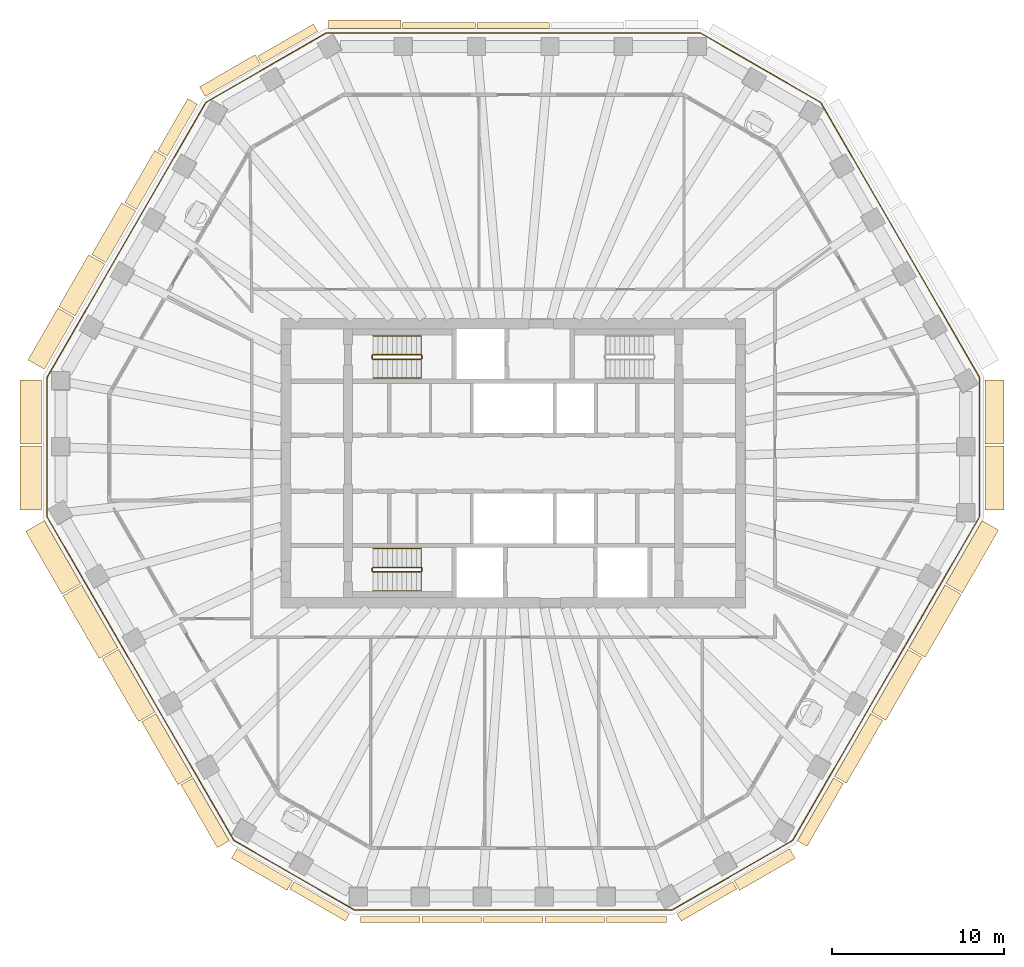
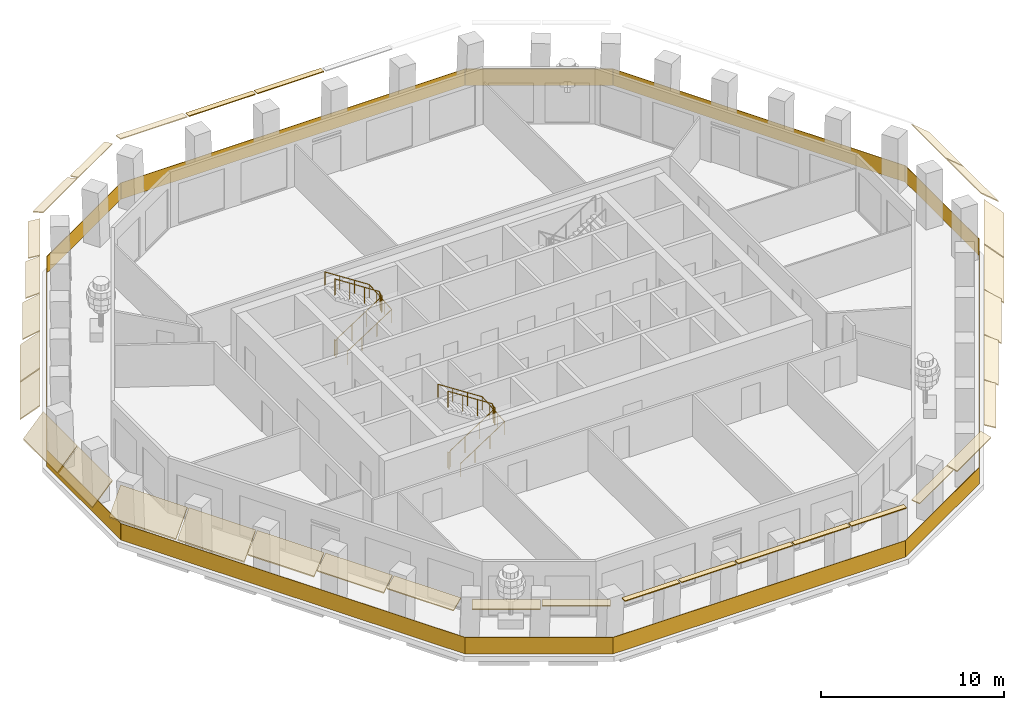
# One storey, part 9 of 12: 33 coverings, 5 railings.
"""IFC4 building model written with IfcOpenShell, lengths in metres."""

from ifc_helpers import new_model, si_unit, direction, frame, origin, origin_2d, place, context, subcontext, project, spatial, polyline, rectangle, circle, outline, extrude, material, layer, layer_set, type_object, element, save


model = new_model("IFC4")

# Units and contexts
model_context = context("Model", 3, precision=1e-05, world=origin(), true_north=direction((0.0, 1.0)))
body_context = subcontext(model_context, "Body", "Model", "MODEL_VIEW")
ifc_project = project(units=[si_unit("LENGTHUNIT", "METRE"), si_unit("AREAUNIT", "SQUARE_METRE"), si_unit("VOLUMEUNIT", "CUBIC_METRE"), si_unit("PLANEANGLEUNIT", "RADIAN"), si_unit("MASSUNIT", "GRAM", prefix="KILO")], contexts=[model_context])

# Site, building, storey
site_placement = place(None, origin())
site = spatial("IfcSite", under=ifc_project, at=site_placement, CompositionType="ELEMENT")
building_placement = place(site_placement, origin())
building = spatial("IfcBuilding", under=site, at=building_placement, Name="Frailejon Research Tower", CompositionType="ELEMENT")
storey_placement = place(building_placement, frame((0.0, 0.0, 241.39990234375)))
storey = spatial("IfcBuildingStorey", under=building, at=storey_placement, Name="L52", CompositionType="ELEMENT", Elevation=241.39990234375)

# Coverings
ifc_material_1 = material(Name="Precast concrete C50/60", Category="concrete")
ifc_layer_1 = layer(ifc_material_1, 0.06005859375)
ifc_layer_set_1 = layer_set([ifc_layer_1], Name="Brim blade depth 1100")
covering_type_1 = type_object("IfcCoveringType", Name="Brim blade depth 1100", PredefinedType="CLADDING", material=ifc_layer_set_1)
for number, where, z_axis, x_axis, name in (
    (1, (27.4013671875, 1.0185546875, 3.85009765625), (0.0, -1.0, 0.0), (1.0, 0.0, 0.0), "Brim blade L52"),
    (2, (27.4013671875, 4.84521484375, 3.85009765625), (0.0, -1.0, 0.0), (1.0, 0.0, 0.0), "Brim blade L52"),
):
    element("IfcCovering", number, at=place(storey_placement, frame(where, z_axis=z_axis, x_axis=x_axis)), inside=storey, type_object=covering_type_1, Name=name, PredefinedType="CLADDING", context=body_context, shape_type="SweptSolid", body=[
        extrude(outline(polyline([(0.0, -0.078369140625), (1.10009765625, -1.001220703125), (1.10009765625, -0.923095703125), (0.0, 0.0), (0.0, -0.078369140625)])), origin(), (0.0, 0.0, 1.0), 3.726806640625),
    ])
for number, where, z_axis, x_axis, name in (
    (3, (-25.4482421875, 8.55908203125, 3.85009765625), (0.499990454793, 0.866030914642, 0.0), (-0.866030914642, 0.499990454793, 0.0), "Brim blade L52"),
    (4, (-27.235595703125, 5.46337890625, 3.85009765625), (0.500011436046, 0.86601880108, 0.0), (-0.86601880108, 0.500011436046, 0.0), "Brim blade L52"),
):
    element("IfcCovering", number, at=place(storey_placement, frame(where, z_axis=z_axis, x_axis=x_axis)), inside=storey, type_object=covering_type_1, Name=name, PredefinedType="CLADDING", context=body_context, shape_type="SweptSolid", body=[
        extrude(outline(polyline([(0.0, -0.078369140625), (1.10009765625, -1.001220703125), (1.10009765625, -0.923095703125), (0.0, 0.0), (0.0, -0.078369140625)])), origin(), (0.0, 0.0, 1.0), 3.474609375),
    ])
for number, where, z_axis, x_axis, name in (
    (5, (-20.8134765625, -14.4501953125, 3.85009765625), (-0.499992615205, 0.866029667356, 0.0), (-0.866029667356, -0.499992615205, 0.0), "Brim blade L52"),
    (6, (25.078125, -7.063232421875, 3.85009765625), (-0.500002651097, -0.866023873168, 0.0), (0.866023873168, -0.500002651097, 0.0), "Brim blade L52"),
    (7, (27.235595703125, -3.326416015625, 3.85009765625), (-0.500002651097, -0.866023873168, 0.0), (0.866023873168, -0.500002651097, 0.0), "Brim blade L52"),
):
    element("IfcCovering", number, at=place(storey_placement, frame(where, z_axis=z_axis, x_axis=x_axis)), inside=storey, type_object=covering_type_1, Name=name, PredefinedType="CLADDING", context=body_context, shape_type="SweptSolid", body=[
        extrude(outline(polyline([(0.0, -0.078369140625), (1.10009765625, -1.001220703125), (1.10009765625, -0.923095703125), (0.0, 0.0), (0.0, -0.078369140625)])), origin(), (0.0, 0.0, 1.0), 4.21484375),
    ])
ifc_material_2 = material(Name="Precast concrete C50/60", Category="concrete")
ifc_layer_2 = layer(ifc_material_2, 0.06005859375)
ifc_layer_set_2 = layer_set([ifc_layer_2], Name="Brim blade depth 1250")
covering_type_2 = type_object("IfcCoveringType", Name="Brim blade depth 1250", PredefinedType="CLADDING", material=ifc_layer_set_2)
for number, where, z_axis, x_axis, name in (
    (8, (-27.4013671875, 1.118408203125, 3.85009765625), (0.0, 1.0, 0.0), (-1.0, 0.0, 0.0), "Brim blade L52"),
    (9, (-27.4013671875, -2.708251953125, 3.85009765625), (0.0, 1.0, 0.0), (-1.0, 0.0, 0.0), "Brim blade L52"),
):
    element("IfcCovering", number, at=place(storey_placement, frame(where, z_axis=z_axis, x_axis=x_axis)), inside=storey, type_object=covering_type_2, Name=name, PredefinedType="CLADDING", context=body_context, shape_type="SweptSolid", body=[
        extrude(outline(polyline([(0.0, -0.0888671875), (1.25, -1.452880859375), (1.25, -1.364013671875), (0.0, 0.0), (0.0, -0.0888671875)])), origin(), (0.0, 0.0, 1.0), 3.726806640625),
    ])
for number, where, z_axis, x_axis, name in (
    (10, (-25.128173828125, -6.9765625, 3.85009765625), (-0.500002651097, 0.866023873168, 0.0), (-0.866023873168, -0.500002651097, 0.0), "Brim blade L52"),
    (11, (-22.970703125, -10.71337890625, 3.85009765625), (-0.500002651097, 0.866023873168, 0.0), (-0.866023873168, -0.500002651097, 0.0), "Brim blade L52"),
):
    element("IfcCovering", number, at=place(storey_placement, frame(where, z_axis=z_axis, x_axis=x_axis)), inside=storey, type_object=covering_type_2, Name=name, PredefinedType="CLADDING", context=body_context, shape_type="SweptSolid", body=[
        extrude(outline(polyline([(0.0, -0.0888671875), (1.25, -1.452880859375), (1.25, -1.364013671875), (0.0, 0.0), (0.0, -0.0888671875)])), origin(), (0.0, 0.0, 1.0), 4.21484375),
    ])
ifc_material_3 = material(Name="Precast concrete C50/60", Category="concrete")
ifc_layer_3 = layer(ifc_material_3, 0.06005859375)
ifc_layer_set_3 = layer_set([ifc_layer_3], Name="Brim blade depth 350")
covering_type_3 = type_object("IfcCoveringType", Name="Brim blade depth 350", PredefinedType="CLADDING", material=ifc_layer_set_3)
for number, where, z_axis, x_axis, name in (
    (12, (-2.107421875, 25.25, 3.85009765625), (1.0, 0.0, 0.0), (0.0, 1.0, 0.0), "Brim blade L52"),
    (13, (-6.422119140625, 25.25, 3.85009765625), (1.0, 0.0, 0.0), (0.0, 1.0, 0.0), "Brim blade L52"),
):
    element("IfcCovering", number, at=place(storey_placement, frame(where, z_axis=z_axis, x_axis=x_axis)), inside=storey, type_object=covering_type_3, Name=name, PredefinedType="CLADDING", context=body_context, shape_type="SweptSolid", body=[
        extrude(outline(polyline([(0.0, -0.06005859375), (0.35009765625, -0.06005859375), (0.35009765625, 0.0), (0.0, 0.0), (0.0, -0.06005859375)])), origin(), (0.0, 0.0, 1.0), 4.21484375),
    ])
for number, where, z_axis, x_axis, name in (
    (14, (-5.411865234375, -26.318603515625, 3.85009765625), (-1.0, 0.0, 0.0), (0.0, -1.0, 0.0), "Brim blade L52"),
    (15, (-1.83740234375, -26.318603515625, 3.85009765625), (-1.0, 0.0, 0.0), (0.0, -1.0, 0.0), "Brim blade L52"),
    (16, (1.7373046875, -26.318603515625, 3.85009765625), (-1.0, 0.0, 0.0), (0.0, -1.0, 0.0), "Brim blade L52"),
    (17, (5.311767578125, -26.318603515625, 3.85009765625), (-1.0, 0.0, 0.0), (0.0, -1.0, 0.0), "Brim blade L52"),
    (18, (8.88623046875, -26.318603515625, 3.85009765625), (-1.0, 0.0, 0.0), (0.0, -1.0, 0.0), "Brim blade L52"),
):
    element("IfcCovering", number, at=place(storey_placement, frame(where, z_axis=z_axis, x_axis=x_axis)), inside=storey, type_object=covering_type_3, Name=name, PredefinedType="CLADDING", context=body_context, shape_type="SweptSolid", body=[
        extrude(outline(polyline([(0.0, -0.06005859375), (0.35009765625, -0.06005859375), (0.35009765625, 0.0), (0.0, 0.0), (0.0, -0.06005859375)])), origin(), (0.0, 0.0, 1.0), 3.474609375),
    ])
ifc_material_4 = material(Name="Precast concrete C50/60", Category="concrete")
ifc_layer_4 = layer(ifc_material_4, 0.06005859375)
ifc_layer_set_4 = layer_set([ifc_layer_4], Name="Brim blade depth 500")
covering_type_4 = type_object("IfcCoveringType", Name="Brim blade depth 500", PredefinedType="CLADDING", material=ifc_layer_set_4)
covering_1_placement = place(storey_placement, frame((-10.73681640625, 25.25, 3.85009765625), z_axis=(1.0, 0.0, 0.0), x_axis=(0.0, 1.0, 0.0)))
element("IfcCovering", 19, at=covering_1_placement, inside=storey, type_object=covering_type_4, Name="Brim blade L52", PredefinedType="CLADDING", context=body_context, shape_type="SweptSolid", body=[
    extrude(outline(polyline([(0.0, -0.060546875), (0.5, -0.130859375), (0.5, -0.0703125), (0.0, 0.0), (0.0, -0.060546875)])), origin(), (0.0, 0.0, 1.0), 4.214599609375),
])
for number, where, z_axis, x_axis, name in (
    (20, (-14.582763671875, 23.220947265625, 3.85009765625), (0.866025010706, 0.50000068083, 0.0), (-0.50000068083, 0.866025010706, 0.0), "Brim blade L52"),
    (21, (-9.504638671875, -26.15283203125, 3.85009765625), (-0.866018477835, 0.500011995905, 0.0), (-0.500011995905, -0.866018477835, 0.0), "Brim blade L52"),
    (22, (12.73193359375, -24.289306640625, 3.85009765625), (-0.866018477835, -0.500011995905, 0.0), (0.500011995905, -0.866018477835, 0.0), "Brim blade L52"),
):
    element("IfcCovering", number, at=place(storey_placement, frame(where, z_axis=z_axis, x_axis=x_axis)), inside=storey, type_object=covering_type_4, Name=name, PredefinedType="CLADDING", context=body_context, shape_type="SweptSolid", body=[
        extrude(outline(polyline([(0.0, -0.060546875), (0.5, -0.130859375), (0.5, -0.0703125), (0.0, 0.0), (0.0, -0.060546875)])), origin(), (0.0, 0.0, 1.0), 3.726806640625),
    ])
ifc_material_5 = material(Name="Precast concrete C50/60", Category="concrete")
ifc_layer_5 = layer(ifc_material_5, 0.06005859375)
ifc_layer_set_5 = layer_set([ifc_layer_5], Name="Brim blade depth 650")
covering_type_5 = type_object("IfcCoveringType", Name="Brim blade depth 650", PredefinedType="CLADDING", material=ifc_layer_set_5)
covering_2_placement = place(storey_placement, frame((-17.896728515625, 21.3076171875, 3.85009765625), z_axis=(0.866029793251, 0.499992397145, 0.0), x_axis=(-0.499992397145, 0.866029793251, 0.0)))
element("IfcCovering", 23, at=covering_2_placement, inside=storey, type_object=covering_type_5, Name="Brim blade L52", PredefinedType="CLADDING", context=body_context, shape_type="SweptSolid", body=[
    extrude(outline(polyline([(0.0, -0.0625), (0.64990234375, -0.248779296875), (0.64990234375, -0.186279296875), (0.0, 0.0), (0.0, -0.0625)])), origin(), (0.0, 0.0, 1.0), 3.726806640625),
])
covering_3_placement = place(storey_placement, frame((-20.086669921875, 17.845947265625, 3.85009765625), z_axis=(0.500011436046, 0.86601880108, 0.0), x_axis=(-0.86601880108, 0.500011436046, 0.0)))
element("IfcCovering", 24, at=covering_3_placement, inside=storey, type_object=covering_type_5, Name="Brim blade L52", PredefinedType="CLADDING", context=body_context, shape_type="SweptSolid", body=[
    extrude(outline(polyline([(0.0, -0.0625), (0.64990234375, -0.248779296875), (0.64990234375, -0.186279296875), (0.0, 0.0), (0.0, -0.0625)])), origin(), (0.0, 0.0, 1.0), 3.474609375),
])
for number, where, z_axis, x_axis, name in (
    (25, (-12.818603515625, -24.239501953125, 3.85009765625), (-0.866029793251, 0.499992397145, 0.0), (-0.499992397145, -0.866029793251, 0.0), "Brim blade L52"),
    (26, (16.0458984375, -22.376220703125, 3.85009765625), (-0.866029793251, -0.499992397145, 0.0), (0.499992397145, -0.866029793251, 0.0), "Brim blade L52"),
):
    element("IfcCovering", number, at=place(storey_placement, frame(where, z_axis=z_axis, x_axis=x_axis)), inside=storey, type_object=covering_type_5, Name=name, PredefinedType="CLADDING", context=body_context, shape_type="SweptSolid", body=[
        extrude(outline(polyline([(0.0, -0.0625), (0.64990234375, -0.248779296875), (0.64990234375, -0.186279296875), (0.0, 0.0), (0.0, -0.0625)])), origin(), (0.0, 0.0, 1.0), 3.726806640625),
    ])
covering_4_placement = place(storey_placement, frame((18.60595703125, -18.2734375, 3.85009765625), z_axis=(-0.500002651097, -0.866023873168, 0.0), x_axis=(0.866023873168, -0.500002651097, 0.0)))
element("IfcCovering", 27, at=covering_4_placement, inside=storey, type_object=covering_type_5, Name="Brim blade L52", PredefinedType="CLADDING", context=body_context, shape_type="SweptSolid", body=[
    extrude(outline(polyline([(0.0, -0.0625), (0.64990234375, -0.248779296875), (0.64990234375, -0.186279296875), (0.0, 0.0), (0.0, -0.0625)])), origin(), (0.0, 0.0, 1.0), 4.21484375),
])
ifc_material_6 = material(Name="Precast concrete C50/60", Category="concrete")
ifc_layer_6 = layer(ifc_material_6, 0.06005859375)
ifc_layer_set_6 = layer_set([ifc_layer_6], Name="Brim blade depth 800")
covering_type_6 = type_object("IfcCoveringType", Name="Brim blade depth 800", PredefinedType="CLADDING", material=ifc_layer_set_6)
covering_5_placement = place(storey_placement, frame((-21.873779296875, 14.75048828125, 3.85009765625), z_axis=(0.499990454793, 0.866030914642, 0.0), x_axis=(-0.866030914642, 0.499990454793, 0.0)))
element("IfcCovering", 28, at=covering_5_placement, inside=storey, type_object=covering_type_6, Name="Brim blade L52", PredefinedType="CLADDING", context=body_context, shape_type="SweptSolid", body=[
    extrude(outline(polyline([(0.0, -0.065673828125), (0.800048828125, -0.421875), (0.800048828125, -0.356201171875), (0.0, 0.0), (0.0, -0.065673828125)])), origin(), (0.0, 0.0, 1.0), 3.474609375),
])
for number, where, z_axis, x_axis, name in (
    (29, (-16.49853515625, -21.923583984375, 3.85009765625), (-0.500002651097, 0.866023873168, 0.0), (-0.866023873168, -0.500002651097, 0.0), "Brim blade L52"),
    (30, (20.763427734375, -14.53662109375, 3.85009765625), (-0.500002651097, -0.866023873168, 0.0), (0.866023873168, -0.500002651097, 0.0), "Brim blade L52"),
):
    element("IfcCovering", number, at=place(storey_placement, frame(where, z_axis=z_axis, x_axis=x_axis)), inside=storey, type_object=covering_type_6, Name=name, PredefinedType="CLADDING", context=body_context, shape_type="SweptSolid", body=[
        extrude(outline(polyline([(0.0, -0.065673828125), (0.800048828125, -0.421875), (0.800048828125, -0.356201171875), (0.0, 0.0), (0.0, -0.065673828125)])), origin(), (0.0, 0.0, 1.0), 4.21484375),
    ])
ifc_material_7 = material(Name="Precast concrete C50/60", Category="concrete")
ifc_layer_7 = layer(ifc_material_7, 0.06005859375)
ifc_layer_set_7 = layer_set([ifc_layer_7], Name="Brim blade depth 950")
covering_type_7 = type_object("IfcCoveringType", Name="Brim blade depth 950", PredefinedType="CLADDING", material=ifc_layer_set_7)
covering_6_placement = place(storey_placement, frame((-23.6611328125, 11.65478515625, 3.85009765625), z_axis=(0.499999322849, 0.866025794738, 0.0), x_axis=(-0.866025794738, 0.499999322849, 0.0)))
element("IfcCovering", 31, at=covering_6_placement, inside=storey, type_object=covering_type_7, Name="Brim blade L52", PredefinedType="CLADDING", context=body_context, shape_type="SweptSolid", body=[
    extrude(outline(polyline([(0.0, -0.07080078125), (0.949951171875, -0.664306640625), (0.949951171875, -0.593505859375), (0.0, 0.0), (0.0, -0.07080078125)])), origin(), (0.0, 0.0, 1.0), 3.474609375),
])
for number, where, z_axis, x_axis, name in (
    (32, (-18.656005859375, -18.186767578125, 3.85009765625), (-0.500002651097, 0.866023873168, 0.0), (-0.866023873168, -0.500002651097, 0.0), "Brim blade L52"),
    (33, (22.9208984375, -10.7998046875, 3.85009765625), (-0.499992615205, -0.866029667356, 0.0), (0.866029667356, -0.499992615205, 0.0), "Brim blade L52"),
):
    element("IfcCovering", number, at=place(storey_placement, frame(where, z_axis=z_axis, x_axis=x_axis)), inside=storey, type_object=covering_type_7, Name=name, PredefinedType="CLADDING", context=body_context, shape_type="SweptSolid", body=[
        extrude(outline(polyline([(0.0, -0.07080078125), (0.949951171875, -0.664306640625), (0.949951171875, -0.593505859375), (0.0, 0.0), (0.0, -0.07080078125)])), origin(), (0.0, 0.0, 1.0), 4.21484375),
    ])

# Railings
ifc_material_8 = material(Name="Laminated glass balustrade", Category="glass")
railing_type_1 = type_object("IfcRailingType", Name="Glass guard 1100", PredefinedType="GUARDRAIL", material=ifc_material_8)
railing_1_placement = place(storey_placement, frame((27.081298828125, -3.09912109375, 0.0)))
element("IfcRailing", 34, at=railing_1_placement, inside=storey, type_object=railing_type_1, Name="Loggia guard L52", PredefinedType="GUARDRAIL", context=body_context, shape_type="SweptSolid", body=[
    extrude(rectangle(XDim=8.083740234375, YDim=0.030029296875, at=origin_2d()), frame((0.0, 4.0419921875, 0.0), z_axis=(0.0, 0.0, 1.0), x_axis=(0.0, 1.0, 0.0)), (0.0, 0.0, 1.0), 1.10009765625),
    extrude(rectangle(XDim=18.447509765625, YDim=0.030029296875, at=origin_2d()), frame((-4.61181640625, 16.07177734375, 0.0), z_axis=(0.0, 0.0, 1.0), x_axis=(-0.500003504607, 0.866023380389, 0.0)), (0.0, 0.0, 1.0), 1.10009765625),
    extrude(rectangle(XDim=8.083740234375, YDim=0.030029296875, at=origin_2d()), frame((-12.72412109375, 26.080810546875, 0.0), z_axis=(0.0, 0.0, 1.0), x_axis=(-0.866019113034, 0.500010895741, 0.0)), (0.0, 0.0, 1.0), 1.10009765625),
    extrude(rectangle(XDim=21.71337890625, YDim=0.030029296875, at=origin_2d()), frame((-27.081298828125, 28.101806640625, 0.0), z_axis=(0.0, 0.0, 1.0), x_axis=(-1.0, 0.0, 0.0)), (0.0, 0.0, 1.0), 1.10009765625),
    extrude(rectangle(XDim=8.083740234375, YDim=0.030029296875, at=origin_2d()), frame((-41.4384765625, 26.080810546875, 0.0), z_axis=(0.0, 0.0, 1.0), x_axis=(-0.866019113034, -0.500010895741, 0.0)), (0.0, 0.0, 1.0), 1.10009765625),
    extrude(rectangle(XDim=18.447509765625, YDim=0.030029296875, at=origin_2d()), frame((-49.55078125, 16.07177734375, 0.0), z_axis=(0.0, 0.0, 1.0), x_axis=(-0.500003504607, -0.866023380389, 0.0)), (0.0, 0.0, 1.0), 1.10009765625),
    extrude(rectangle(XDim=8.083740234375, YDim=0.030029296875, at=origin_2d()), frame((-54.16259765625, 4.0419921875, 0.0), z_axis=(0.0, 0.0, 1.0), x_axis=(0.0, -1.0, 0.0)), (0.0, 0.0, 1.0), 1.10009765625),
    extrude(rectangle(XDim=21.713623046875, YDim=0.030029296875, at=origin_2d()), frame((-48.734130859375, -9.40234375, 0.0), z_axis=(0.0, 0.0, 1.0), x_axis=(0.500006326378, -0.866021751217, 0.0)), (0.0, 0.0, 1.0), 1.10009765625),
    extrude(rectangle(XDim=8.08349609375, YDim=0.030029296875, at=origin_2d()), frame((-39.805419921875, -20.8251953125, 0.0), z_axis=(0.0, 0.0, 1.0), x_axis=(0.866024640271, -0.500001322442, 0.0)), (0.0, 0.0, 1.0), 1.10009765625),
    extrude(rectangle(XDim=18.44775390625, YDim=0.030029296875, at=origin_2d()), frame((-27.081298828125, -22.84619140625, 0.0), z_axis=(0.0, 0.0, 1.0), x_axis=(1.0, 0.0, 0.0)), (0.0, 0.0, 1.0), 1.10009765625),
    extrude(rectangle(XDim=8.08349609375, YDim=0.030029296875, at=origin_2d()), frame((-14.357177734375, -20.8251953125, 0.0), z_axis=(0.0, 0.0, 1.0), x_axis=(0.866024640271, 0.500001322442, 0.0)), (0.0, 0.0, 1.0), 1.10009765625),
    extrude(rectangle(XDim=21.643798828125, YDim=0.030029296875, at=origin_2d()), frame((-5.44580078125, -9.4326171875, 0.0), z_axis=(0.0, 0.0, 1.0), x_axis=(0.500007893851, 0.86602084622, 0.0)), (0.0, 0.0, 1.0), 1.10009765625),
])
ifc_material_9 = material(Name="Stainless steel", Category="steel")
railing_type_2 = type_object("IfcRailingType", Name="Stair guard 1100", PredefinedType="GUARDRAIL", material=ifc_material_9)
railing_2_placement = place(storey_placement, frame((-8.199951171875, 6.25, 0.0)))
element("IfcRailing", 35, at=railing_2_placement, inside=storey, type_object=railing_type_2, Name="L52 ST1 stair guard 1", PredefinedType="GUARDRAIL", context=body_context, shape_type="SweptSolid", body=[
    extrude(circle(Radius=0.02392578125, at=origin_2d()), frame((0.0, 0.0, 1.076171875), z_axis=(0.0, -1.0, 0.0), x_axis=(1.0, 0.0, 0.0)), (0.0, 0.0, 1.0), 0.14990234375),
    extrude(circle(Radius=0.02392578125, at=origin_2d()), frame((0.0, -0.14990234375, 1.076171875), z_axis=(0.256435381639, -0.256435381639, 0.931923704005), x_axis=(0.707106781187, 0.707106781187, 0.0)), (0.0, 0.0, 1.0), 0.195068359375),
    extrude(circle(Radius=0.02392578125, at=origin_2d()), frame((0.050048828125, -0.199951171875, 1.2578125), z_axis=(0.83868413941, 0.0, 0.544618136222), x_axis=(0.0, 1.0, 0.0)), (0.0, 0.0, 1.0), 3.33837890625),
    extrude(circle(Radius=0.02392578125, at=origin_2d()), frame((2.849853515625, -0.199951171875, 3.076171875), z_axis=(0.707106781187, 0.707106781187, 0.0), x_axis=(-0.707106781187, 0.707106781187, 0.0)), (0.0, 0.0, 1.0), 0.07080078125),
    extrude(circle(Radius=0.02392578125, at=origin_2d()), frame((2.89990234375, -0.14990234375, 3.076171875), z_axis=(0.0, 1.0, 0.0), x_axis=(-1.0, 0.0, 0.0)), (0.0, 0.0, 1.0), 0.14990234375),
    extrude(circle(Radius=0.02392578125, at=origin_2d()), frame((2.89990234375, 0.0, 3.076171875), z_axis=(-0.256435381639, 0.256435381639, 0.931923704005), x_axis=(-0.707106781187, -0.707106781187, 0.0)), (0.0, 0.0, 1.0), 0.195068359375),
    extrude(circle(Radius=0.02392578125, at=origin_2d()), frame((2.849853515625, 0.050048828125, 3.2578125), z_axis=(-0.83868413941, 0.0, 0.544618136222), x_axis=(0.0, -1.0, 0.0)), (0.0, 0.0, 1.0), 3.33837890625),
    extrude(circle(Radius=0.02099609375, at=origin_2d()), origin(), (0.0, 0.0, 1.0), 1.052001953125),
    extrude(circle(Radius=0.02099609375, at=origin_2d()), frame((0.0, -0.14990234375, 0.0)), (0.0, 0.0, 1.0), 1.052001953125),
    extrude(circle(Radius=0.02099609375, at=origin_2d()), frame((0.050048828125, -0.199951171875, 0.181884765625)), (0.0, 0.0, 1.0), 1.052001953125),
    extrude(circle(Radius=0.02099609375, at=origin_2d()), frame((0.9833984375, -0.199951171875, 0.787841796875)), (0.0, 0.0, 1.0), 1.052001953125),
    extrude(circle(Radius=0.02099609375, at=origin_2d()), frame((1.91650390625, -0.199951171875, 1.39404296875)), (0.0, 0.0, 1.0), 1.052001953125),
    extrude(circle(Radius=0.02099609375, at=origin_2d()), frame((2.849853515625, -0.199951171875, 2.0)), (0.0, 0.0, 1.0), 1.052001953125),
    extrude(circle(Radius=0.02099609375, at=origin_2d()), frame((2.89990234375, -0.14990234375, 2.0)), (0.0, 0.0, 1.0), 1.052001953125),
    extrude(circle(Radius=0.02099609375, at=origin_2d()), frame((2.89990234375, 0.0, 2.0)), (0.0, 0.0, 1.0), 1.052001953125),
    extrude(circle(Radius=0.02099609375, at=origin_2d()), frame((2.849853515625, 0.050048828125, 2.181884765625)), (0.0, 0.0, 1.0), 1.052001953125),
    extrude(circle(Radius=0.02099609375, at=origin_2d()), frame((1.91650390625, 0.050048828125, 2.787841796875)), (0.0, 0.0, 1.0), 1.052001953125),
    extrude(circle(Radius=0.02099609375, at=origin_2d()), frame((0.9833984375, 0.050048828125, 3.39404296875)), (0.0, 0.0, 1.0), 1.052001953125),
    extrude(circle(Radius=0.02099609375, at=origin_2d()), frame((0.050048828125, 0.050048828125, 4.0)), (0.0, 0.0, 1.0), 1.052001953125),
])
railing_3_placement = place(storey_placement, frame((-8.199951171875, -6.10009765625, 0.0)))
element("IfcRailing", 36, at=railing_3_placement, inside=storey, type_object=railing_type_2, Name="L52 ST2 stair guard 1", PredefinedType="GUARDRAIL", context=body_context, shape_type="SweptSolid", body=[
    extrude(circle(Radius=0.02392578125, at=origin_2d()), frame((0.0, 0.0, 1.076171875), z_axis=(0.0, -1.0, 0.0), x_axis=(1.0, 0.0, 0.0)), (0.0, 0.0, 1.0), 0.14990234375),
    extrude(circle(Radius=0.02392578125, at=origin_2d()), frame((0.0, -0.14990234375, 1.076171875), z_axis=(0.256435381639, -0.256435381639, 0.931923704005), x_axis=(0.707106781187, 0.707106781187, 0.0)), (0.0, 0.0, 1.0), 0.195068359375),
    extrude(circle(Radius=0.02392578125, at=origin_2d()), frame((0.050048828125, -0.199951171875, 1.2578125), z_axis=(0.83868413941, 0.0, 0.544618136222), x_axis=(0.0, 1.0, 0.0)), (0.0, 0.0, 1.0), 3.33837890625),
    extrude(circle(Radius=0.02392578125, at=origin_2d()), frame((2.849853515625, -0.199951171875, 3.076171875), z_axis=(0.707106781187, 0.707106781187, 0.0), x_axis=(-0.707106781187, 0.707106781187, 0.0)), (0.0, 0.0, 1.0), 0.07080078125),
    extrude(circle(Radius=0.02392578125, at=origin_2d()), frame((2.89990234375, -0.14990234375, 3.076171875), z_axis=(0.0, 1.0, 0.0), x_axis=(-1.0, 0.0, 0.0)), (0.0, 0.0, 1.0), 0.14990234375),
    extrude(circle(Radius=0.02392578125, at=origin_2d()), frame((2.89990234375, 0.0, 3.076171875), z_axis=(-0.256435381639, 0.256435381639, 0.931923704005), x_axis=(-0.707106781187, -0.707106781187, 0.0)), (0.0, 0.0, 1.0), 0.195068359375),
    extrude(circle(Radius=0.02392578125, at=origin_2d()), frame((2.849853515625, 0.050048828125, 3.2578125), z_axis=(-0.83868413941, 0.0, 0.544618136222), x_axis=(0.0, -1.0, 0.0)), (0.0, 0.0, 1.0), 3.33837890625),
    extrude(circle(Radius=0.02099609375, at=origin_2d()), origin(), (0.0, 0.0, 1.0), 1.052001953125),
    extrude(circle(Radius=0.02099609375, at=origin_2d()), frame((0.0, -0.14990234375, 0.0)), (0.0, 0.0, 1.0), 1.052001953125),
    extrude(circle(Radius=0.02099609375, at=origin_2d()), frame((0.050048828125, -0.199951171875, 0.181884765625)), (0.0, 0.0, 1.0), 1.052001953125),
    extrude(circle(Radius=0.02099609375, at=origin_2d()), frame((0.9833984375, -0.199951171875, 0.787841796875)), (0.0, 0.0, 1.0), 1.052001953125),
    extrude(circle(Radius=0.02099609375, at=origin_2d()), frame((1.91650390625, -0.199951171875, 1.39404296875)), (0.0, 0.0, 1.0), 1.052001953125),
    extrude(circle(Radius=0.02099609375, at=origin_2d()), frame((2.849853515625, -0.199951171875, 2.0)), (0.0, 0.0, 1.0), 1.052001953125),
    extrude(circle(Radius=0.02099609375, at=origin_2d()), frame((2.89990234375, -0.14990234375, 2.0)), (0.0, 0.0, 1.0), 1.052001953125),
    extrude(circle(Radius=0.02099609375, at=origin_2d()), frame((2.89990234375, 0.0, 2.0)), (0.0, 0.0, 1.0), 1.052001953125),
    extrude(circle(Radius=0.02099609375, at=origin_2d()), frame((2.849853515625, 0.050048828125, 2.181884765625)), (0.0, 0.0, 1.0), 1.052001953125),
    extrude(circle(Radius=0.02099609375, at=origin_2d()), frame((1.91650390625, 0.050048828125, 2.787841796875)), (0.0, 0.0, 1.0), 1.052001953125),
    extrude(circle(Radius=0.02099609375, at=origin_2d()), frame((0.9833984375, 0.050048828125, 3.39404296875)), (0.0, 0.0, 1.0), 1.052001953125),
    extrude(circle(Radius=0.02099609375, at=origin_2d()), frame((0.050048828125, 0.050048828125, 4.0)), (0.0, 0.0, 1.0), 1.052001953125),
])
ifc_material_10 = material(Name="Stainless steel", Category="steel")
railing_type_3 = type_object("IfcRailingType", Name="Stair handrail 900", PredefinedType="HANDRAIL", material=ifc_material_10)
railing_4_placement = place(storey_placement, frame((-8.14990234375, 4.949951171875, 0.181884765625)))
element("IfcRailing", 37, at=railing_4_placement, inside=storey, type_object=railing_type_3, Name="L52 ST1 stair handrail 1", PredefinedType="HANDRAIL", context=body_context, shape_type="SweptSolid", body=[
    extrude(circle(Radius=0.02392578125, at=origin_2d()), frame((0.0, 0.0, 0.8759765625), z_axis=(0.83868413941, 0.0, 0.544618136222), x_axis=(0.0, 1.0, 0.0)), (0.0, 0.0, 1.0), 3.33837890625),
    extrude(circle(Radius=0.02392578125, at=origin_2d()), frame((2.7998046875, 0.0, 2.69384765625), z_axis=(0.0, 0.997255538948, 0.074036410216), x_axis=(-1.0, 0.0, 0.0)), (0.0, 0.0, 1.0), 2.456787109375),
    extrude(circle(Radius=0.02392578125, at=origin_2d()), frame((2.7998046875, 2.449951171875, 2.8759765625), z_axis=(-0.83868413941, 0.0, 0.544618136222), x_axis=(0.0, -1.0, 0.0)), (0.0, 0.0, 1.0), 3.33837890625),
    extrude(circle(Radius=0.02099609375, at=origin_2d()), origin(), (0.0, 0.0, 1.0), 0.851806640625),
    extrude(circle(Radius=0.02099609375, at=origin_2d()), frame((0.933349609375, 0.0, 0.60595703125)), (0.0, 0.0, 1.0), 0.851806640625),
    extrude(circle(Radius=0.02099609375, at=origin_2d()), frame((1.866455078125, 0.0, 1.212158203125)), (0.0, 0.0, 1.0), 0.851806640625),
    extrude(circle(Radius=0.02099609375, at=origin_2d()), frame((2.7998046875, 0.0, 1.818115234375)), (0.0, 0.0, 1.0), 0.851806640625),
    extrude(circle(Radius=0.02099609375, at=origin_2d()), frame((2.7998046875, 0.816650390625, 1.878662109375)), (0.0, 0.0, 1.0), 0.851806640625),
    extrude(circle(Radius=0.02099609375, at=origin_2d()), frame((2.7998046875, 1.63330078125, 1.939453125)), (0.0, 0.0, 1.0), 0.851806640625),
    extrude(circle(Radius=0.02099609375, at=origin_2d()), frame((2.7998046875, 2.449951171875, 2.0)), (0.0, 0.0, 1.0), 0.851806640625),
    extrude(circle(Radius=0.02099609375, at=origin_2d()), frame((1.866455078125, 2.449951171875, 2.60595703125)), (0.0, 0.0, 1.0), 0.851806640625),
    extrude(circle(Radius=0.02099609375, at=origin_2d()), frame((0.933349609375, 2.449951171875, 3.212158203125)), (0.0, 0.0, 1.0), 0.851806640625),
    extrude(circle(Radius=0.02099609375, at=origin_2d()), frame((0.0, 2.449951171875, 3.818115234375)), (0.0, 0.0, 1.0), 0.851806640625),
])
railing_5_placement = place(storey_placement, frame((-8.14990234375, -7.39990234375, 0.181884765625)))
element("IfcRailing", 38, at=railing_5_placement, inside=storey, type_object=railing_type_3, Name="L52 ST2 stair handrail 1", PredefinedType="HANDRAIL", context=body_context, shape_type="SweptSolid", body=[
    extrude(circle(Radius=0.02392578125, at=origin_2d()), frame((0.0, 0.0, 0.8759765625), z_axis=(0.83868413941, 0.0, 0.544618136222), x_axis=(0.0, 1.0, 0.0)), (0.0, 0.0, 1.0), 3.33837890625),
    extrude(circle(Radius=0.02392578125, at=origin_2d()), frame((2.7998046875, 0.0, 2.69384765625), z_axis=(0.0, 0.997255538948, 0.074036410216), x_axis=(-1.0, 0.0, 0.0)), (0.0, 0.0, 1.0), 2.456787109375),
    extrude(circle(Radius=0.02392578125, at=origin_2d()), frame((2.7998046875, 2.449951171875, 2.8759765625), z_axis=(-0.83868413941, 0.0, 0.544618136222), x_axis=(0.0, -1.0, 0.0)), (0.0, 0.0, 1.0), 3.33837890625),
    extrude(circle(Radius=0.02099609375, at=origin_2d()), origin(), (0.0, 0.0, 1.0), 0.851806640625),
    extrude(circle(Radius=0.02099609375, at=origin_2d()), frame((0.933349609375, 0.0, 0.60595703125)), (0.0, 0.0, 1.0), 0.851806640625),
    extrude(circle(Radius=0.02099609375, at=origin_2d()), frame((1.866455078125, 0.0, 1.212158203125)), (0.0, 0.0, 1.0), 0.851806640625),
    extrude(circle(Radius=0.02099609375, at=origin_2d()), frame((2.7998046875, 0.0, 1.818115234375)), (0.0, 0.0, 1.0), 0.851806640625),
    extrude(circle(Radius=0.02099609375, at=origin_2d()), frame((2.7998046875, 0.816650390625, 1.878662109375)), (0.0, 0.0, 1.0), 0.851806640625),
    extrude(circle(Radius=0.02099609375, at=origin_2d()), frame((2.7998046875, 1.63330078125, 1.939453125)), (0.0, 0.0, 1.0), 0.851806640625),
    extrude(circle(Radius=0.02099609375, at=origin_2d()), frame((2.7998046875, 2.449951171875, 2.0)), (0.0, 0.0, 1.0), 0.851806640625),
    extrude(circle(Radius=0.02099609375, at=origin_2d()), frame((1.866455078125, 2.449951171875, 2.60595703125)), (0.0, 0.0, 1.0), 0.851806640625),
    extrude(circle(Radius=0.02099609375, at=origin_2d()), frame((0.933349609375, 2.449951171875, 3.212158203125)), (0.0, 0.0, 1.0), 0.851806640625),
    extrude(circle(Radius=0.02099609375, at=origin_2d()), frame((0.0, 2.449951171875, 3.818115234375)), (0.0, 0.0, 1.0), 0.851806640625),
])

save(model, "model.ifc")
